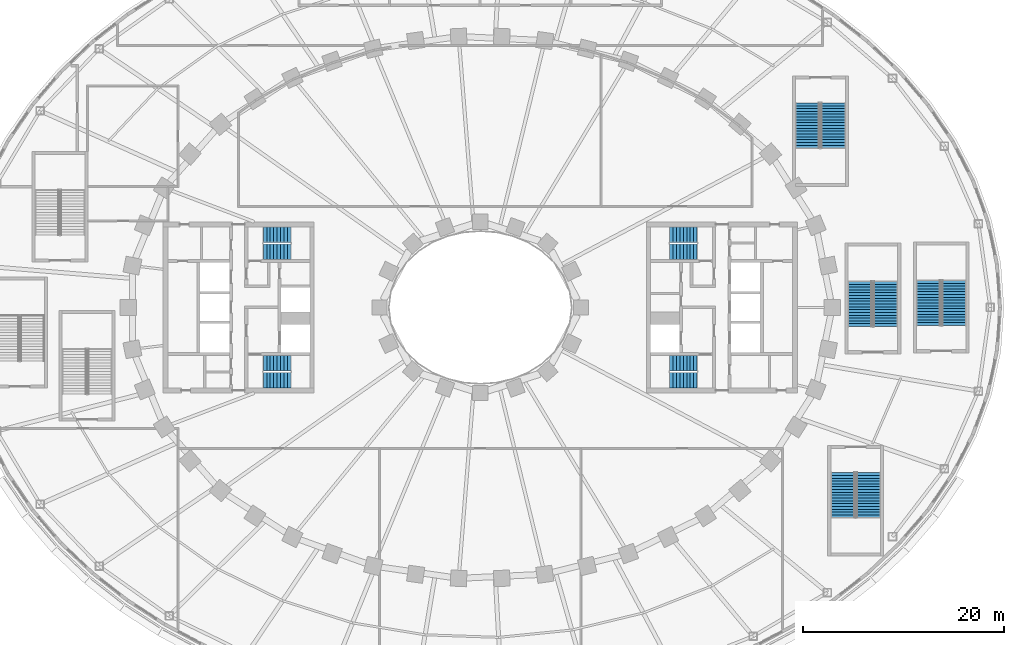
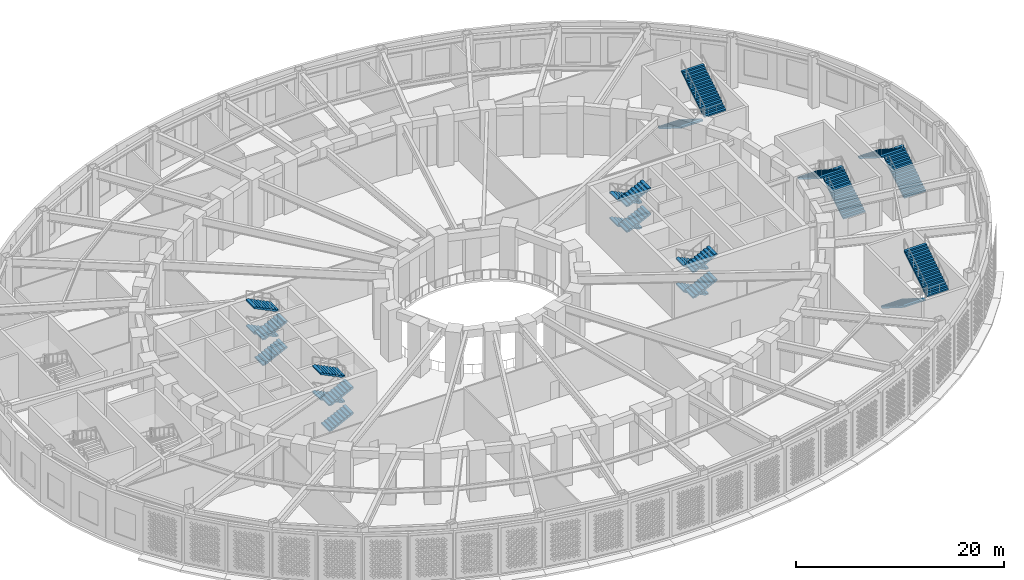
# One storey, part 28 of 74: 24 stair flights, 8 elements without a shape of their own.
"""IFC4 building model written with IfcOpenShell, lengths in metres."""

from ifc_helpers import new_model, si_unit, direction, frame, origin, place, context, subcontext, project, spatial, polyline, outline, extrude, material, type_object, element, aggregate, save


model = new_model("IFC4")

# Units and contexts
model_context = context("Model", 3, precision=1e-05, world=origin(), true_north=direction((0.0, 1.0)))
body_context = subcontext(model_context, "Body", "Model", "MODEL_VIEW")
ifc_project = project(units=[si_unit("LENGTHUNIT", "METRE"), si_unit("AREAUNIT", "SQUARE_METRE"), si_unit("VOLUMEUNIT", "CUBIC_METRE"), si_unit("PLANEANGLEUNIT", "RADIAN"), si_unit("MASSUNIT", "GRAM", prefix="KILO")], contexts=[model_context])

# Site, building, storey
site_placement = place(None, origin())
site = spatial("IfcSite", under=ifc_project, at=site_placement, CompositionType="ELEMENT")
building_placement = place(site_placement, origin())
building = spatial("IfcBuilding", under=site, at=building_placement, Name="Noorbagh Ring Tower", CompositionType="ELEMENT")
storey_placement = place(building_placement, frame((0.0, 0.0, 13.5)))
storey = spatial("IfcBuildingStorey", under=building, at=storey_placement, Name="L02", CompositionType="ELEMENT", Elevation=13.5)

# Stair, stair flights
ifc_material_1 = material(Name="Concrete C40/50", Category="concrete")
stair_type_1 = type_object("IfcStairType", Name="CORE-STAIR", PredefinedType="HALF_TURN_STAIR", material=ifc_material_1)
stair_1_placement = place(storey_placement, origin())
stair_1 = element("IfcStair", 1, at=stair_1_placement, inside=storey, type_object=stair_type_1, Name="L02 Exit stair ST1", PredefinedType="HALF_TURN_STAIR")
ifc_material_2 = material(Name="Concrete C40/50", Category="concrete")
stair_flight_type_1 = type_object("IfcStairFlightType", Name="CORE-STAIR-FLIGHT", PredefinedType="STRAIGHT", material=ifc_material_2)
stair_flight_1_placement = place(storey_placement, frame((-21.530029296875, 5.52490234375, 0.0), z_axis=(0.0, 0.0, 1.0), x_axis=(1.0, 0.0, 0.0)))
stair_flight_1 = element("IfcStairFlight", 2, at=stair_flight_1_placement, type_object=stair_flight_type_1, Name="ST1 flight 1", NumberOfRisers=9, NumberOfTreads=8, PredefinedType="STRAIGHT", RiserHeight=0.166666667, TreadLength=0.34, context=body_context, shape_type="SweptSolid", body=[
    extrude(outline(polyline([(0.0, 0.0), (0.0, 0.166748046875), (0.340087890625, 0.166748046875), (0.340087890625, 0.333251953125), (0.679931640625, 0.333251953125), (0.679931640625, 0.5), (1.02001953125, 0.5), (1.02001953125, 0.666748046875), (1.360107421875, 0.666748046875), (1.360107421875, 0.833251953125), (1.699951171875, 0.833251953125), (1.699951171875, 1.0), (2.0400390625, 1.0), (2.0400390625, 1.166748046875), (2.3798828125, 1.166748046875), (2.3798828125, 1.333251953125), (2.719970703125, 1.333251953125), (2.719970703125, 1.5), (2.719970703125, 1.16650390625), (0.340576171875, 0.0), (0.0, 0.0)])), frame((0.0, 0.77490234375, 0.0), z_axis=(0.0, -1.0, 0.0), x_axis=(1.0, 0.0, 0.0)), (0.0, 0.0, 1.0), 1.550048828125),
])
stair_flight_2_placement = place(storey_placement, frame((-18.81005859375, 7.22509765625, 1.5), z_axis=(0.0, 0.0, 1.0), x_axis=(-1.0, 0.0, 0.0)))
stair_flight_2 = element("IfcStairFlight", 3, at=stair_flight_2_placement, type_object=stair_flight_type_1, Name="ST1 flight 2", NumberOfRisers=9, NumberOfTreads=8, PredefinedType="STRAIGHT", RiserHeight=0.166666667, TreadLength=0.34, context=body_context, shape_type="SweptSolid", body=[
    extrude(outline(polyline([(0.0, 0.0), (0.0, 0.166748046875), (0.340087890625, 0.166748046875), (0.340087890625, 0.333251953125), (0.679931640625, 0.333251953125), (0.679931640625, 0.5), (1.02001953125, 0.5), (1.02001953125, 0.666748046875), (1.360107421875, 0.666748046875), (1.360107421875, 0.833251953125), (1.699951171875, 0.833251953125), (1.699951171875, 1.0), (2.0400390625, 1.0), (2.0400390625, 1.166748046875), (2.3798828125, 1.166748046875), (2.3798828125, 1.333251953125), (2.719970703125, 1.333251953125), (2.719970703125, 1.5), (2.719970703125, 1.16650390625), (0.340576171875, 0.0), (0.0, 0.0)])), frame((0.0, 0.77490234375, 0.0), z_axis=(0.0, -1.0, 0.0), x_axis=(1.0, 0.0, 0.0)), (0.0, 0.0, 1.0), 1.550048828125),
])
stair_flight_3_placement = place(storey_placement, frame((-21.530029296875, 5.52490234375, 3.0), z_axis=(0.0, 0.0, 1.0), x_axis=(1.0, 0.0, 0.0)))
stair_flight_3 = element("IfcStairFlight", 4, at=stair_flight_3_placement, type_object=stair_flight_type_1, Name="ST1 flight 3", NumberOfRisers=9, NumberOfTreads=8, PredefinedType="STRAIGHT", RiserHeight=0.166666667, TreadLength=0.34, context=body_context, shape_type="SweptSolid", body=[
    extrude(outline(polyline([(0.0, 0.0), (0.0, 0.166748046875), (0.340087890625, 0.166748046875), (0.340087890625, 0.333251953125), (0.679931640625, 0.333251953125), (0.679931640625, 0.5), (1.02001953125, 0.5), (1.02001953125, 0.666748046875), (1.360107421875, 0.666748046875), (1.360107421875, 0.833251953125), (1.699951171875, 0.833251953125), (1.699951171875, 1.0), (2.0400390625, 1.0), (2.0400390625, 1.166748046875), (2.3798828125, 1.166748046875), (2.3798828125, 1.333251953125), (2.719970703125, 1.333251953125), (2.719970703125, 1.5), (2.719970703125, 1.16650390625), (0.340576171875, 0.0), (0.0, 0.0)])), frame((0.0, 0.77490234375, 0.0), z_axis=(0.0, -1.0, 0.0), x_axis=(1.0, 0.0, 0.0)), (0.0, 0.0, 1.0), 1.550048828125),
])
stair_flight_4_placement = place(storey_placement, frame((-18.81005859375, 7.22509765625, 4.5), z_axis=(0.0, 0.0, 1.0), x_axis=(-1.0, 0.0, 0.0)))
stair_flight_4 = element("IfcStairFlight", 5, at=stair_flight_4_placement, type_object=stair_flight_type_1, Name="ST1 flight 4", NumberOfRisers=9, NumberOfTreads=8, PredefinedType="STRAIGHT", RiserHeight=0.166666667, TreadLength=0.34, context=body_context, shape_type="SweptSolid", body=[
    extrude(outline(polyline([(0.0, 0.0), (0.0, 0.166748046875), (0.340087890625, 0.166748046875), (0.340087890625, 0.333251953125), (0.679931640625, 0.333251953125), (0.679931640625, 0.5), (1.02001953125, 0.5), (1.02001953125, 0.666748046875), (1.360107421875, 0.666748046875), (1.360107421875, 0.833251953125), (1.699951171875, 0.833251953125), (1.699951171875, 1.0), (2.0400390625, 1.0), (2.0400390625, 1.166748046875), (2.3798828125, 1.166748046875), (2.3798828125, 1.333251953125), (2.719970703125, 1.333251953125), (2.719970703125, 1.5), (2.719970703125, 1.16650390625), (0.340576171875, 0.0), (0.0, 0.0)])), frame((0.0, 0.77490234375, 0.0), z_axis=(0.0, -1.0, 0.0), x_axis=(1.0, 0.0, 0.0)), (0.0, 0.0, 1.0), 1.550048828125),
])
aggregate(stair_1, [stair_flight_1, stair_flight_2, stair_flight_3, stair_flight_4])

stair_2_placement = place(storey_placement, origin())
stair_2 = element("IfcStair", 6, at=stair_2_placement, inside=storey, type_object=stair_type_1, Name="L02 Exit stair ST2", PredefinedType="HALF_TURN_STAIR")
stair_flight_5_placement = place(storey_placement, frame((-21.530029296875, -7.22509765625, 0.0), z_axis=(0.0, 0.0, 1.0), x_axis=(1.0, 0.0, 0.0)))
stair_flight_5 = element("IfcStairFlight", 7, at=stair_flight_5_placement, type_object=stair_flight_type_1, Name="ST2 flight 1", NumberOfRisers=9, NumberOfTreads=8, PredefinedType="STRAIGHT", RiserHeight=0.166666667, TreadLength=0.34, context=body_context, shape_type="SweptSolid", body=[
    extrude(outline(polyline([(0.0, 0.0), (0.0, 0.166748046875), (0.340087890625, 0.166748046875), (0.340087890625, 0.333251953125), (0.679931640625, 0.333251953125), (0.679931640625, 0.5), (1.02001953125, 0.5), (1.02001953125, 0.666748046875), (1.360107421875, 0.666748046875), (1.360107421875, 0.833251953125), (1.699951171875, 0.833251953125), (1.699951171875, 1.0), (2.0400390625, 1.0), (2.0400390625, 1.166748046875), (2.3798828125, 1.166748046875), (2.3798828125, 1.333251953125), (2.719970703125, 1.333251953125), (2.719970703125, 1.5), (2.719970703125, 1.16650390625), (0.340576171875, 0.0), (0.0, 0.0)])), frame((0.0, 0.77490234375, 0.0), z_axis=(0.0, -1.0, 0.0), x_axis=(1.0, 0.0, 0.0)), (0.0, 0.0, 1.0), 1.550048828125),
])
stair_flight_6_placement = place(storey_placement, frame((-18.81005859375, -5.52490234375, 1.5), z_axis=(0.0, 0.0, 1.0), x_axis=(-1.0, 0.0, 0.0)))
stair_flight_6 = element("IfcStairFlight", 8, at=stair_flight_6_placement, type_object=stair_flight_type_1, Name="ST2 flight 2", NumberOfRisers=9, NumberOfTreads=8, PredefinedType="STRAIGHT", RiserHeight=0.166666667, TreadLength=0.34, context=body_context, shape_type="SweptSolid", body=[
    extrude(outline(polyline([(0.0, 0.0), (0.0, 0.166748046875), (0.340087890625, 0.166748046875), (0.340087890625, 0.333251953125), (0.679931640625, 0.333251953125), (0.679931640625, 0.5), (1.02001953125, 0.5), (1.02001953125, 0.666748046875), (1.360107421875, 0.666748046875), (1.360107421875, 0.833251953125), (1.699951171875, 0.833251953125), (1.699951171875, 1.0), (2.0400390625, 1.0), (2.0400390625, 1.166748046875), (2.3798828125, 1.166748046875), (2.3798828125, 1.333251953125), (2.719970703125, 1.333251953125), (2.719970703125, 1.5), (2.719970703125, 1.16650390625), (0.340576171875, 0.0), (0.0, 0.0)])), frame((0.0, 0.77490234375, 0.0), z_axis=(0.0, -1.0, 0.0), x_axis=(1.0, 0.0, 0.0)), (0.0, 0.0, 1.0), 1.550048828125),
])
stair_flight_7_placement = place(storey_placement, frame((-21.530029296875, -7.22509765625, 3.0), z_axis=(0.0, 0.0, 1.0), x_axis=(1.0, 0.0, 0.0)))
stair_flight_7 = element("IfcStairFlight", 9, at=stair_flight_7_placement, type_object=stair_flight_type_1, Name="ST2 flight 3", NumberOfRisers=9, NumberOfTreads=8, PredefinedType="STRAIGHT", RiserHeight=0.166666667, TreadLength=0.34, context=body_context, shape_type="SweptSolid", body=[
    extrude(outline(polyline([(0.0, 0.0), (0.0, 0.166748046875), (0.340087890625, 0.166748046875), (0.340087890625, 0.333251953125), (0.679931640625, 0.333251953125), (0.679931640625, 0.5), (1.02001953125, 0.5), (1.02001953125, 0.666748046875), (1.360107421875, 0.666748046875), (1.360107421875, 0.833251953125), (1.699951171875, 0.833251953125), (1.699951171875, 1.0), (2.0400390625, 1.0), (2.0400390625, 1.166748046875), (2.3798828125, 1.166748046875), (2.3798828125, 1.333251953125), (2.719970703125, 1.333251953125), (2.719970703125, 1.5), (2.719970703125, 1.16650390625), (0.340576171875, 0.0), (0.0, 0.0)])), frame((0.0, 0.77490234375, 0.0), z_axis=(0.0, -1.0, 0.0), x_axis=(1.0, 0.0, 0.0)), (0.0, 0.0, 1.0), 1.550048828125),
])
stair_flight_8_placement = place(storey_placement, frame((-18.81005859375, -5.52490234375, 4.5), z_axis=(0.0, 0.0, 1.0), x_axis=(-1.0, 0.0, 0.0)))
stair_flight_8 = element("IfcStairFlight", 10, at=stair_flight_8_placement, type_object=stair_flight_type_1, Name="ST2 flight 4", NumberOfRisers=9, NumberOfTreads=8, PredefinedType="STRAIGHT", RiserHeight=0.166666667, TreadLength=0.34, context=body_context, shape_type="SweptSolid", body=[
    extrude(outline(polyline([(0.0, 0.0), (0.0, 0.166748046875), (0.340087890625, 0.166748046875), (0.340087890625, 0.333251953125), (0.679931640625, 0.333251953125), (0.679931640625, 0.5), (1.02001953125, 0.5), (1.02001953125, 0.666748046875), (1.360107421875, 0.666748046875), (1.360107421875, 0.833251953125), (1.699951171875, 0.833251953125), (1.699951171875, 1.0), (2.0400390625, 1.0), (2.0400390625, 1.166748046875), (2.3798828125, 1.166748046875), (2.3798828125, 1.333251953125), (2.719970703125, 1.333251953125), (2.719970703125, 1.5), (2.719970703125, 1.16650390625), (0.340576171875, 0.0), (0.0, 0.0)])), frame((0.0, 0.77490234375, 0.0), z_axis=(0.0, -1.0, 0.0), x_axis=(1.0, 0.0, 0.0)), (0.0, 0.0, 1.0), 1.550048828125),
])
aggregate(stair_2, [stair_flight_5, stair_flight_6, stair_flight_7, stair_flight_8])

stair_3_placement = place(storey_placement, origin())
stair_3 = element("IfcStair", 11, at=stair_3_placement, inside=storey, type_object=stair_type_1, Name="L02 Exit stair ST3", PredefinedType="HALF_TURN_STAIR")
stair_flight_9_placement = place(storey_placement, frame((21.530029296875, 7.22509765625, 0.0), z_axis=(0.0, 0.0, 1.0), x_axis=(-1.0, 0.0, 0.0)))
stair_flight_9 = element("IfcStairFlight", 12, at=stair_flight_9_placement, type_object=stair_flight_type_1, Name="ST3 flight 1", NumberOfRisers=9, NumberOfTreads=8, PredefinedType="STRAIGHT", RiserHeight=0.166666667, TreadLength=0.34, context=body_context, shape_type="SweptSolid", body=[
    extrude(outline(polyline([(0.0, 0.0), (0.0, 0.166748046875), (0.340087890625, 0.166748046875), (0.340087890625, 0.333251953125), (0.679931640625, 0.333251953125), (0.679931640625, 0.5), (1.02001953125, 0.5), (1.02001953125, 0.666748046875), (1.360107421875, 0.666748046875), (1.360107421875, 0.833251953125), (1.699951171875, 0.833251953125), (1.699951171875, 1.0), (2.0400390625, 1.0), (2.0400390625, 1.166748046875), (2.3798828125, 1.166748046875), (2.3798828125, 1.333251953125), (2.719970703125, 1.333251953125), (2.719970703125, 1.5), (2.719970703125, 1.16650390625), (0.340576171875, 0.0), (0.0, 0.0)])), frame((0.0, 0.77490234375, 0.0), z_axis=(0.0, -1.0, 0.0), x_axis=(1.0, 0.0, 0.0)), (0.0, 0.0, 1.0), 1.550048828125),
])
stair_flight_10_placement = place(storey_placement, frame((18.81005859375, 5.52490234375, 1.5), z_axis=(0.0, 0.0, 1.0), x_axis=(1.0, 0.0, 0.0)))
stair_flight_10 = element("IfcStairFlight", 13, at=stair_flight_10_placement, type_object=stair_flight_type_1, Name="ST3 flight 2", NumberOfRisers=9, NumberOfTreads=8, PredefinedType="STRAIGHT", RiserHeight=0.166666667, TreadLength=0.34, context=body_context, shape_type="SweptSolid", body=[
    extrude(outline(polyline([(0.0, 0.0), (0.0, 0.166748046875), (0.340087890625, 0.166748046875), (0.340087890625, 0.333251953125), (0.679931640625, 0.333251953125), (0.679931640625, 0.5), (1.02001953125, 0.5), (1.02001953125, 0.666748046875), (1.360107421875, 0.666748046875), (1.360107421875, 0.833251953125), (1.699951171875, 0.833251953125), (1.699951171875, 1.0), (2.0400390625, 1.0), (2.0400390625, 1.166748046875), (2.3798828125, 1.166748046875), (2.3798828125, 1.333251953125), (2.719970703125, 1.333251953125), (2.719970703125, 1.5), (2.719970703125, 1.16650390625), (0.340576171875, 0.0), (0.0, 0.0)])), frame((0.0, 0.77490234375, 0.0), z_axis=(0.0, -1.0, 0.0), x_axis=(1.0, 0.0, 0.0)), (0.0, 0.0, 1.0), 1.550048828125),
])
stair_flight_11_placement = place(storey_placement, frame((21.530029296875, 7.22509765625, 3.0), z_axis=(0.0, 0.0, 1.0), x_axis=(-1.0, 0.0, 0.0)))
stair_flight_11 = element("IfcStairFlight", 14, at=stair_flight_11_placement, type_object=stair_flight_type_1, Name="ST3 flight 3", NumberOfRisers=9, NumberOfTreads=8, PredefinedType="STRAIGHT", RiserHeight=0.166666667, TreadLength=0.34, context=body_context, shape_type="SweptSolid", body=[
    extrude(outline(polyline([(0.0, 0.0), (0.0, 0.166748046875), (0.340087890625, 0.166748046875), (0.340087890625, 0.333251953125), (0.679931640625, 0.333251953125), (0.679931640625, 0.5), (1.02001953125, 0.5), (1.02001953125, 0.666748046875), (1.360107421875, 0.666748046875), (1.360107421875, 0.833251953125), (1.699951171875, 0.833251953125), (1.699951171875, 1.0), (2.0400390625, 1.0), (2.0400390625, 1.166748046875), (2.3798828125, 1.166748046875), (2.3798828125, 1.333251953125), (2.719970703125, 1.333251953125), (2.719970703125, 1.5), (2.719970703125, 1.16650390625), (0.340576171875, 0.0), (0.0, 0.0)])), frame((0.0, 0.77490234375, 0.0), z_axis=(0.0, -1.0, 0.0), x_axis=(1.0, 0.0, 0.0)), (0.0, 0.0, 1.0), 1.550048828125),
])
stair_flight_12_placement = place(storey_placement, frame((18.81005859375, 5.52490234375, 4.5), z_axis=(0.0, 0.0, 1.0), x_axis=(1.0, 0.0, 0.0)))
stair_flight_12 = element("IfcStairFlight", 15, at=stair_flight_12_placement, type_object=stair_flight_type_1, Name="ST3 flight 4", NumberOfRisers=9, NumberOfTreads=8, PredefinedType="STRAIGHT", RiserHeight=0.166666667, TreadLength=0.34, context=body_context, shape_type="SweptSolid", body=[
    extrude(outline(polyline([(0.0, 0.0), (0.0, 0.166748046875), (0.340087890625, 0.166748046875), (0.340087890625, 0.333251953125), (0.679931640625, 0.333251953125), (0.679931640625, 0.5), (1.02001953125, 0.5), (1.02001953125, 0.666748046875), (1.360107421875, 0.666748046875), (1.360107421875, 0.833251953125), (1.699951171875, 0.833251953125), (1.699951171875, 1.0), (2.0400390625, 1.0), (2.0400390625, 1.166748046875), (2.3798828125, 1.166748046875), (2.3798828125, 1.333251953125), (2.719970703125, 1.333251953125), (2.719970703125, 1.5), (2.719970703125, 1.16650390625), (0.340576171875, 0.0), (0.0, 0.0)])), frame((0.0, 0.77490234375, 0.0), z_axis=(0.0, -1.0, 0.0), x_axis=(1.0, 0.0, 0.0)), (0.0, 0.0, 1.0), 1.550048828125),
])
aggregate(stair_3, [stair_flight_9, stair_flight_10, stair_flight_11, stair_flight_12])

stair_4_placement = place(storey_placement, origin())
stair_4 = element("IfcStair", 16, at=stair_4_placement, inside=storey, type_object=stair_type_1, Name="L02 Exit stair ST4", PredefinedType="HALF_TURN_STAIR")
stair_flight_13_placement = place(storey_placement, frame((21.530029296875, -5.52490234375, 0.0), z_axis=(0.0, 0.0, 1.0), x_axis=(-1.0, 0.0, 0.0)))
stair_flight_13 = element("IfcStairFlight", 17, at=stair_flight_13_placement, type_object=stair_flight_type_1, Name="ST4 flight 1", NumberOfRisers=9, NumberOfTreads=8, PredefinedType="STRAIGHT", RiserHeight=0.166666667, TreadLength=0.34, context=body_context, shape_type="SweptSolid", body=[
    extrude(outline(polyline([(0.0, 0.0), (0.0, 0.166748046875), (0.340087890625, 0.166748046875), (0.340087890625, 0.333251953125), (0.679931640625, 0.333251953125), (0.679931640625, 0.5), (1.02001953125, 0.5), (1.02001953125, 0.666748046875), (1.360107421875, 0.666748046875), (1.360107421875, 0.833251953125), (1.699951171875, 0.833251953125), (1.699951171875, 1.0), (2.0400390625, 1.0), (2.0400390625, 1.166748046875), (2.3798828125, 1.166748046875), (2.3798828125, 1.333251953125), (2.719970703125, 1.333251953125), (2.719970703125, 1.5), (2.719970703125, 1.16650390625), (0.340576171875, 0.0), (0.0, 0.0)])), frame((0.0, 0.77490234375, 0.0), z_axis=(0.0, -1.0, 0.0), x_axis=(1.0, 0.0, 0.0)), (0.0, 0.0, 1.0), 1.550048828125),
])
stair_flight_14_placement = place(storey_placement, frame((18.81005859375, -7.22509765625, 1.5), z_axis=(0.0, 0.0, 1.0), x_axis=(1.0, 0.0, 0.0)))
stair_flight_14 = element("IfcStairFlight", 18, at=stair_flight_14_placement, type_object=stair_flight_type_1, Name="ST4 flight 2", NumberOfRisers=9, NumberOfTreads=8, PredefinedType="STRAIGHT", RiserHeight=0.166666667, TreadLength=0.34, context=body_context, shape_type="SweptSolid", body=[
    extrude(outline(polyline([(0.0, 0.0), (0.0, 0.166748046875), (0.340087890625, 0.166748046875), (0.340087890625, 0.333251953125), (0.679931640625, 0.333251953125), (0.679931640625, 0.5), (1.02001953125, 0.5), (1.02001953125, 0.666748046875), (1.360107421875, 0.666748046875), (1.360107421875, 0.833251953125), (1.699951171875, 0.833251953125), (1.699951171875, 1.0), (2.0400390625, 1.0), (2.0400390625, 1.166748046875), (2.3798828125, 1.166748046875), (2.3798828125, 1.333251953125), (2.719970703125, 1.333251953125), (2.719970703125, 1.5), (2.719970703125, 1.16650390625), (0.340576171875, 0.0), (0.0, 0.0)])), frame((0.0, 0.77490234375, 0.0), z_axis=(0.0, -1.0, 0.0), x_axis=(1.0, 0.0, 0.0)), (0.0, 0.0, 1.0), 1.550048828125),
])
stair_flight_15_placement = place(storey_placement, frame((21.530029296875, -5.52490234375, 3.0), z_axis=(0.0, 0.0, 1.0), x_axis=(-1.0, 0.0, 0.0)))
stair_flight_15 = element("IfcStairFlight", 19, at=stair_flight_15_placement, type_object=stair_flight_type_1, Name="ST4 flight 3", NumberOfRisers=9, NumberOfTreads=8, PredefinedType="STRAIGHT", RiserHeight=0.166666667, TreadLength=0.34, context=body_context, shape_type="SweptSolid", body=[
    extrude(outline(polyline([(0.0, 0.0), (0.0, 0.166748046875), (0.340087890625, 0.166748046875), (0.340087890625, 0.333251953125), (0.679931640625, 0.333251953125), (0.679931640625, 0.5), (1.02001953125, 0.5), (1.02001953125, 0.666748046875), (1.360107421875, 0.666748046875), (1.360107421875, 0.833251953125), (1.699951171875, 0.833251953125), (1.699951171875, 1.0), (2.0400390625, 1.0), (2.0400390625, 1.166748046875), (2.3798828125, 1.166748046875), (2.3798828125, 1.333251953125), (2.719970703125, 1.333251953125), (2.719970703125, 1.5), (2.719970703125, 1.16650390625), (0.340576171875, 0.0), (0.0, 0.0)])), frame((0.0, 0.77490234375, 0.0), z_axis=(0.0, -1.0, 0.0), x_axis=(1.0, 0.0, 0.0)), (0.0, 0.0, 1.0), 1.550048828125),
])
stair_flight_16_placement = place(storey_placement, frame((18.81005859375, -7.22509765625, 4.5), z_axis=(0.0, 0.0, 1.0), x_axis=(1.0, 0.0, 0.0)))
stair_flight_16 = element("IfcStairFlight", 20, at=stair_flight_16_placement, type_object=stair_flight_type_1, Name="ST4 flight 4", NumberOfRisers=9, NumberOfTreads=8, PredefinedType="STRAIGHT", RiserHeight=0.166666667, TreadLength=0.34, context=body_context, shape_type="SweptSolid", body=[
    extrude(outline(polyline([(0.0, 0.0), (0.0, 0.166748046875), (0.340087890625, 0.166748046875), (0.340087890625, 0.333251953125), (0.679931640625, 0.333251953125), (0.679931640625, 0.5), (1.02001953125, 0.5), (1.02001953125, 0.666748046875), (1.360107421875, 0.666748046875), (1.360107421875, 0.833251953125), (1.699951171875, 0.833251953125), (1.699951171875, 1.0), (2.0400390625, 1.0), (2.0400390625, 1.166748046875), (2.3798828125, 1.166748046875), (2.3798828125, 1.333251953125), (2.719970703125, 1.333251953125), (2.719970703125, 1.5), (2.719970703125, 1.16650390625), (0.340576171875, 0.0), (0.0, 0.0)])), frame((0.0, 0.77490234375, 0.0), z_axis=(0.0, -1.0, 0.0), x_axis=(1.0, 0.0, 0.0)), (0.0, 0.0, 1.0), 1.550048828125),
])
aggregate(stair_4, [stair_flight_13, stair_flight_14, stair_flight_15, stair_flight_16])

ifc_material_3 = material(Name="Concrete C40/50", Category="concrete")
stair_type_2 = type_object("IfcStairType", Name="GND-STAIR", PredefinedType="HALF_TURN_STAIR", material=ifc_material_3)
stair_5_placement = place(storey_placement, origin())
stair_5 = element("IfcStair", 21, at=stair_5_placement, inside=storey, type_object=stair_type_2, Name="L02 exit stair ST-P2", PredefinedType="HALF_TURN_STAIR")
ifc_material_4 = material(Name="Concrete C40/50", Category="concrete")
stair_flight_type_2 = type_object("IfcStairFlightType", Name="GND-STAIR-FLIGHT", PredefinedType="STRAIGHT", material=ifc_material_4)
stair_flight_17_placement = place(storey_placement, frame((40.25, -1.89990234375, 0.0), z_axis=(0.0, 0.0, 1.0), x_axis=(0.0, 1.0, 0.0)))
stair_flight_17 = element("IfcStairFlight", 22, at=stair_flight_17_placement, type_object=stair_flight_type_2, Name="ST-P2 flight 1", NumberOfRisers=17, NumberOfTreads=16, PredefinedType="STRAIGHT", RiserHeight=0.176470588, TreadLength=0.28, context=body_context, shape_type="SweptSolid", body=[
    extrude(outline(polyline([(0.0, 0.0), (0.0, 0.176513671875), (0.280029296875, 0.176513671875), (0.280029296875, 0.35302734375), (0.56005859375, 0.35302734375), (0.56005859375, 0.529296875), (0.840087890625, 0.529296875), (0.840087890625, 0.705810546875), (1.1201171875, 0.705810546875), (1.1201171875, 0.88232421875), (1.39990234375, 0.88232421875), (1.39990234375, 1.058837890625), (1.679931640625, 1.058837890625), (1.679931640625, 1.2353515625), (1.9599609375, 1.2353515625), (1.9599609375, 1.411865234375), (2.239990234375, 1.411865234375), (2.239990234375, 1.588134765625), (2.52001953125, 1.588134765625), (2.52001953125, 1.7646484375), (2.800048828125, 1.7646484375), (2.800048828125, 1.941162109375), (3.080078125, 1.941162109375), (3.080078125, 2.11767578125), (3.360107421875, 2.11767578125), (3.360107421875, 2.294189453125), (3.639892578125, 2.294189453125), (3.639892578125, 2.470703125), (3.919921875, 2.470703125), (3.919921875, 2.64697265625), (4.199951171875, 2.64697265625), (4.199951171875, 2.823486328125), (4.47998046875, 2.823486328125), (4.47998046875, 3.0), (4.47998046875, 2.646240234375), (0.28125, 0.0), (0.0, 0.0)])), frame((0.0, 1.199951171875, 0.0), z_axis=(0.0, -1.0, 0.0), x_axis=(1.0, 0.0, 0.0)), (0.0, 0.0, 1.0), 2.39990234375),
])
stair_flight_18_placement = place(storey_placement, frame((37.699951171875, 2.580078125, 3.0), z_axis=(0.0, 0.0, 1.0), x_axis=(0.0, -1.0, 0.0)))
stair_flight_18 = element("IfcStairFlight", 23, at=stair_flight_18_placement, type_object=stair_flight_type_2, Name="ST-P2 flight 2", NumberOfRisers=17, NumberOfTreads=16, PredefinedType="STRAIGHT", RiserHeight=0.176470588, TreadLength=0.28, context=body_context, shape_type="SweptSolid", body=[
    extrude(outline(polyline([(0.0, 0.0), (0.0, 0.176513671875), (0.280029296875, 0.176513671875), (0.280029296875, 0.35302734375), (0.56005859375, 0.35302734375), (0.56005859375, 0.529296875), (0.840087890625, 0.529296875), (0.840087890625, 0.705810546875), (1.1201171875, 0.705810546875), (1.1201171875, 0.88232421875), (1.39990234375, 0.88232421875), (1.39990234375, 1.058837890625), (1.679931640625, 1.058837890625), (1.679931640625, 1.2353515625), (1.9599609375, 1.2353515625), (1.9599609375, 1.411865234375), (2.239990234375, 1.411865234375), (2.239990234375, 1.588134765625), (2.52001953125, 1.588134765625), (2.52001953125, 1.7646484375), (2.800048828125, 1.7646484375), (2.800048828125, 1.941162109375), (3.080078125, 1.941162109375), (3.080078125, 2.11767578125), (3.360107421875, 2.11767578125), (3.360107421875, 2.294189453125), (3.639892578125, 2.294189453125), (3.639892578125, 2.470703125), (3.919921875, 2.470703125), (3.919921875, 2.64697265625), (4.199951171875, 2.64697265625), (4.199951171875, 2.823486328125), (4.47998046875, 2.823486328125), (4.47998046875, 3.0), (4.47998046875, 2.646240234375), (0.28125, 0.0), (0.0, 0.0)])), frame((0.0, 1.199951171875, 0.0), z_axis=(0.0, -1.0, 0.0), x_axis=(1.0, 0.0, 0.0)), (0.0, 0.0, 1.0), 2.39990234375),
])
aggregate(stair_5, [stair_flight_17, stair_flight_18])

stair_6_placement = place(storey_placement, origin())
stair_6 = element("IfcStair", 24, at=stair_6_placement, inside=storey, type_object=stair_type_2, Name="L02 exit stair ST-P4", PredefinedType="HALF_TURN_STAIR")
stair_flight_19_placement = place(storey_placement, frame((47.050048828125, -1.800048828125, 0.0), z_axis=(0.0, 0.0, 1.0), x_axis=(0.0, 1.0, 0.0)))
stair_flight_19 = element("IfcStairFlight", 25, at=stair_flight_19_placement, type_object=stair_flight_type_2, Name="ST-P4 flight 1", NumberOfRisers=17, NumberOfTreads=16, PredefinedType="STRAIGHT", RiserHeight=0.176470588, TreadLength=0.28, context=body_context, shape_type="SweptSolid", body=[
    extrude(outline(polyline([(0.0, 0.0), (0.0, 0.176513671875), (0.280029296875, 0.176513671875), (0.280029296875, 0.35302734375), (0.56005859375, 0.35302734375), (0.56005859375, 0.529296875), (0.840087890625, 0.529296875), (0.840087890625, 0.705810546875), (1.1201171875, 0.705810546875), (1.1201171875, 0.88232421875), (1.39990234375, 0.88232421875), (1.39990234375, 1.058837890625), (1.679931640625, 1.058837890625), (1.679931640625, 1.2353515625), (1.9599609375, 1.2353515625), (1.9599609375, 1.411865234375), (2.239990234375, 1.411865234375), (2.239990234375, 1.588134765625), (2.52001953125, 1.588134765625), (2.52001953125, 1.7646484375), (2.800048828125, 1.7646484375), (2.800048828125, 1.941162109375), (3.080078125, 1.941162109375), (3.080078125, 2.11767578125), (3.360107421875, 2.11767578125), (3.360107421875, 2.294189453125), (3.639892578125, 2.294189453125), (3.639892578125, 2.470703125), (3.919921875, 2.470703125), (3.919921875, 2.64697265625), (4.199951171875, 2.64697265625), (4.199951171875, 2.823486328125), (4.47998046875, 2.823486328125), (4.47998046875, 3.0), (4.47998046875, 2.646240234375), (0.28125, 0.0), (0.0, 0.0)])), frame((0.0, 1.199951171875, 0.0), z_axis=(0.0, -1.0, 0.0), x_axis=(1.0, 0.0, 0.0)), (0.0, 0.0, 1.0), 2.39990234375),
])
stair_flight_20_placement = place(storey_placement, frame((44.5, 2.679931640625, 3.0), z_axis=(0.0, 0.0, 1.0), x_axis=(0.0, -1.0, 0.0)))
stair_flight_20 = element("IfcStairFlight", 26, at=stair_flight_20_placement, type_object=stair_flight_type_2, Name="ST-P4 flight 2", NumberOfRisers=17, NumberOfTreads=16, PredefinedType="STRAIGHT", RiserHeight=0.176470588, TreadLength=0.28, context=body_context, shape_type="SweptSolid", body=[
    extrude(outline(polyline([(0.0, 0.0), (0.0, 0.176513671875), (0.280029296875, 0.176513671875), (0.280029296875, 0.35302734375), (0.56005859375, 0.35302734375), (0.56005859375, 0.529296875), (0.840087890625, 0.529296875), (0.840087890625, 0.705810546875), (1.1201171875, 0.705810546875), (1.1201171875, 0.88232421875), (1.39990234375, 0.88232421875), (1.39990234375, 1.058837890625), (1.679931640625, 1.058837890625), (1.679931640625, 1.2353515625), (1.9599609375, 1.2353515625), (1.9599609375, 1.411865234375), (2.239990234375, 1.411865234375), (2.239990234375, 1.588134765625), (2.52001953125, 1.588134765625), (2.52001953125, 1.7646484375), (2.800048828125, 1.7646484375), (2.800048828125, 1.941162109375), (3.080078125, 1.941162109375), (3.080078125, 2.11767578125), (3.360107421875, 2.11767578125), (3.360107421875, 2.294189453125), (3.639892578125, 2.294189453125), (3.639892578125, 2.470703125), (3.919921875, 2.470703125), (3.919921875, 2.64697265625), (4.199951171875, 2.64697265625), (4.199951171875, 2.823486328125), (4.47998046875, 2.823486328125), (4.47998046875, 3.0), (4.47998046875, 2.646240234375), (0.28125, 0.0), (0.0, 0.0)])), frame((0.0, 1.199951171875, 0.0), z_axis=(0.0, -1.0, 0.0), x_axis=(1.0, 0.0, 0.0)), (0.0, 0.0, 1.0), 2.39990234375),
])
aggregate(stair_6, [stair_flight_19, stair_flight_20])

stair_7_placement = place(storey_placement, origin())
stair_7 = element("IfcStair", 27, at=stair_7_placement, inside=storey, type_object=stair_type_2, Name="L02 exit stair ST-P5", PredefinedType="HALF_TURN_STAIR")
stair_flight_21_placement = place(storey_placement, frame((32.5, 20.300048828125, 0.0), z_axis=(0.0, 0.0, 1.0), x_axis=(0.0, -1.0, 0.0)))
stair_flight_21 = element("IfcStairFlight", 28, at=stair_flight_21_placement, type_object=stair_flight_type_2, Name="ST-P5 flight 1", NumberOfRisers=17, NumberOfTreads=16, PredefinedType="STRAIGHT", RiserHeight=0.176470588, TreadLength=0.28, context=body_context, shape_type="SweptSolid", body=[
    extrude(outline(polyline([(0.0, 0.0), (0.0, 0.176513671875), (0.280029296875, 0.176513671875), (0.280029296875, 0.35302734375), (0.56005859375, 0.35302734375), (0.56005859375, 0.529296875), (0.840087890625, 0.529296875), (0.840087890625, 0.705810546875), (1.1201171875, 0.705810546875), (1.1201171875, 0.88232421875), (1.39990234375, 0.88232421875), (1.39990234375, 1.058837890625), (1.679931640625, 1.058837890625), (1.679931640625, 1.2353515625), (1.9599609375, 1.2353515625), (1.9599609375, 1.411865234375), (2.239990234375, 1.411865234375), (2.239990234375, 1.588134765625), (2.52001953125, 1.588134765625), (2.52001953125, 1.7646484375), (2.800048828125, 1.7646484375), (2.800048828125, 1.941162109375), (3.080078125, 1.941162109375), (3.080078125, 2.11767578125), (3.360107421875, 2.11767578125), (3.360107421875, 2.294189453125), (3.639892578125, 2.294189453125), (3.639892578125, 2.470703125), (3.919921875, 2.470703125), (3.919921875, 2.64697265625), (4.199951171875, 2.64697265625), (4.199951171875, 2.823486328125), (4.47998046875, 2.823486328125), (4.47998046875, 3.0), (4.47998046875, 2.646240234375), (0.28125, 0.0), (0.0, 0.0)])), frame((0.0, 1.199951171875, 0.0), z_axis=(0.0, -1.0, 0.0), x_axis=(1.0, 0.0, 0.0)), (0.0, 0.0, 1.0), 2.39990234375),
])
stair_flight_22_placement = place(storey_placement, frame((35.050048828125, 15.820068359375, 3.0), z_axis=(0.0, 0.0, 1.0), x_axis=(0.0, 1.0, 0.0)))
stair_flight_22 = element("IfcStairFlight", 29, at=stair_flight_22_placement, type_object=stair_flight_type_2, Name="ST-P5 flight 2", NumberOfRisers=17, NumberOfTreads=16, PredefinedType="STRAIGHT", RiserHeight=0.176470588, TreadLength=0.28, context=body_context, shape_type="SweptSolid", body=[
    extrude(outline(polyline([(0.0, 0.0), (0.0, 0.176513671875), (0.280029296875, 0.176513671875), (0.280029296875, 0.35302734375), (0.56005859375, 0.35302734375), (0.56005859375, 0.529296875), (0.840087890625, 0.529296875), (0.840087890625, 0.705810546875), (1.1201171875, 0.705810546875), (1.1201171875, 0.88232421875), (1.39990234375, 0.88232421875), (1.39990234375, 1.058837890625), (1.679931640625, 1.058837890625), (1.679931640625, 1.2353515625), (1.9599609375, 1.2353515625), (1.9599609375, 1.411865234375), (2.239990234375, 1.411865234375), (2.239990234375, 1.588134765625), (2.52001953125, 1.588134765625), (2.52001953125, 1.7646484375), (2.800048828125, 1.7646484375), (2.800048828125, 1.941162109375), (3.080078125, 1.941162109375), (3.080078125, 2.11767578125), (3.360107421875, 2.11767578125), (3.360107421875, 2.294189453125), (3.639892578125, 2.294189453125), (3.639892578125, 2.470703125), (3.919921875, 2.470703125), (3.919921875, 2.64697265625), (4.199951171875, 2.64697265625), (4.199951171875, 2.823486328125), (4.47998046875, 2.823486328125), (4.47998046875, 3.0), (4.47998046875, 2.646240234375), (0.28125, 0.0), (0.0, 0.0)])), frame((0.0, 1.199951171875, 0.0), z_axis=(0.0, -1.0, 0.0), x_axis=(1.0, 0.0, 0.0)), (0.0, 0.0, 1.0), 2.39990234375),
])
aggregate(stair_7, [stair_flight_21, stair_flight_22])

stair_8_placement = place(storey_placement, origin())
stair_8 = element("IfcStair", 30, at=stair_8_placement, inside=storey, type_object=stair_type_2, Name="L02 exit stair ST-P6", PredefinedType="HALF_TURN_STAIR")
stair_flight_23_placement = place(storey_placement, frame((36.0, -16.39990234375, 0.0), z_axis=(0.0, 0.0, 1.0), x_axis=(0.0, -1.0, 0.0)))
stair_flight_23 = element("IfcStairFlight", 31, at=stair_flight_23_placement, type_object=stair_flight_type_2, Name="ST-P6 flight 1", NumberOfRisers=17, NumberOfTreads=16, PredefinedType="STRAIGHT", RiserHeight=0.176470588, TreadLength=0.28, context=body_context, shape_type="SweptSolid", body=[
    extrude(outline(polyline([(0.0, 0.0), (0.0, 0.176513671875), (0.280029296875, 0.176513671875), (0.280029296875, 0.35302734375), (0.56005859375, 0.35302734375), (0.56005859375, 0.529296875), (0.840087890625, 0.529296875), (0.840087890625, 0.705810546875), (1.1201171875, 0.705810546875), (1.1201171875, 0.88232421875), (1.39990234375, 0.88232421875), (1.39990234375, 1.058837890625), (1.679931640625, 1.058837890625), (1.679931640625, 1.2353515625), (1.9599609375, 1.2353515625), (1.9599609375, 1.411865234375), (2.239990234375, 1.411865234375), (2.239990234375, 1.588134765625), (2.52001953125, 1.588134765625), (2.52001953125, 1.7646484375), (2.800048828125, 1.7646484375), (2.800048828125, 1.941162109375), (3.080078125, 1.941162109375), (3.080078125, 2.11767578125), (3.360107421875, 2.11767578125), (3.360107421875, 2.294189453125), (3.639892578125, 2.294189453125), (3.639892578125, 2.470703125), (3.919921875, 2.470703125), (3.919921875, 2.64697265625), (4.199951171875, 2.64697265625), (4.199951171875, 2.823486328125), (4.47998046875, 2.823486328125), (4.47998046875, 3.0), (4.47998046875, 2.646240234375), (0.28125, 0.0), (0.0, 0.0)])), frame((0.0, 1.199951171875, 0.0), z_axis=(0.0, -1.0, 0.0), x_axis=(1.0, 0.0, 0.0)), (0.0, 0.0, 1.0), 2.39990234375),
])
stair_flight_24_placement = place(storey_placement, frame((38.550048828125, -20.8798828125, 3.0), z_axis=(0.0, 0.0, 1.0), x_axis=(0.0, 1.0, 0.0)))
stair_flight_24 = element("IfcStairFlight", 32, at=stair_flight_24_placement, type_object=stair_flight_type_2, Name="ST-P6 flight 2", NumberOfRisers=17, NumberOfTreads=16, PredefinedType="STRAIGHT", RiserHeight=0.176470588, TreadLength=0.28, context=body_context, shape_type="SweptSolid", body=[
    extrude(outline(polyline([(0.0, 0.0), (0.0, 0.176513671875), (0.280029296875, 0.176513671875), (0.280029296875, 0.35302734375), (0.56005859375, 0.35302734375), (0.56005859375, 0.529296875), (0.840087890625, 0.529296875), (0.840087890625, 0.705810546875), (1.1201171875, 0.705810546875), (1.1201171875, 0.88232421875), (1.39990234375, 0.88232421875), (1.39990234375, 1.058837890625), (1.679931640625, 1.058837890625), (1.679931640625, 1.2353515625), (1.9599609375, 1.2353515625), (1.9599609375, 1.411865234375), (2.239990234375, 1.411865234375), (2.239990234375, 1.588134765625), (2.52001953125, 1.588134765625), (2.52001953125, 1.7646484375), (2.800048828125, 1.7646484375), (2.800048828125, 1.941162109375), (3.080078125, 1.941162109375), (3.080078125, 2.11767578125), (3.360107421875, 2.11767578125), (3.360107421875, 2.294189453125), (3.639892578125, 2.294189453125), (3.639892578125, 2.470703125), (3.919921875, 2.470703125), (3.919921875, 2.64697265625), (4.199951171875, 2.64697265625), (4.199951171875, 2.823486328125), (4.47998046875, 2.823486328125), (4.47998046875, 3.0), (4.47998046875, 2.646240234375), (0.28125, 0.0), (0.0, 0.0)])), frame((0.0, 1.199951171875, 0.0), z_axis=(0.0, -1.0, 0.0), x_axis=(1.0, 0.0, 0.0)), (0.0, 0.0, 1.0), 2.39990234375),
])
aggregate(stair_8, [stair_flight_23, stair_flight_24])

save(model, "model.ifc")
